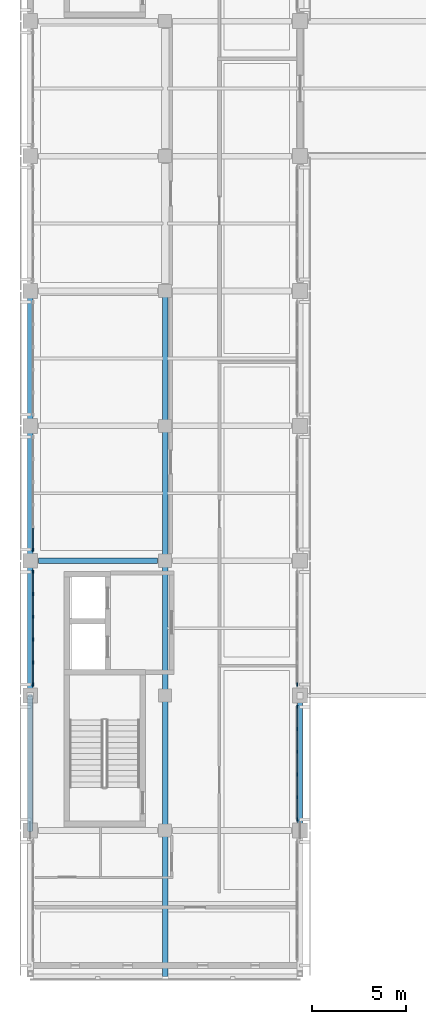
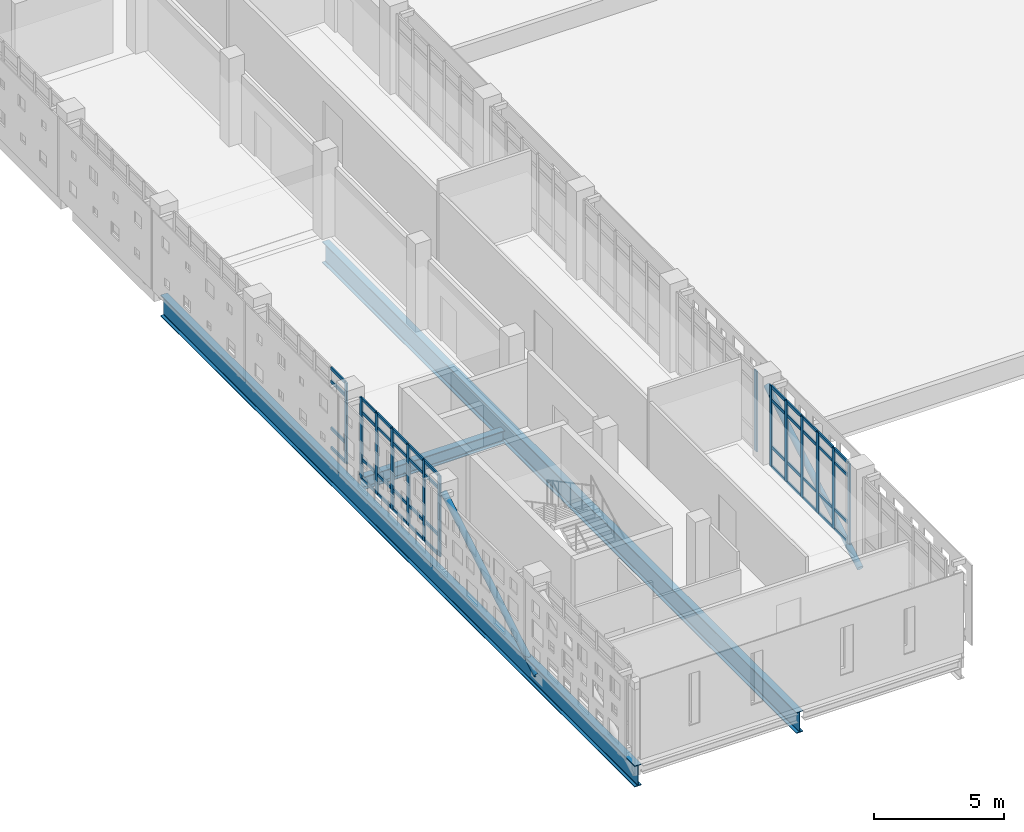
# One storey, part 3 of 51: 60 members, 3 beams, 4 elements without a shape of their own.
"""IFC4 building model written with IfcOpenShell, lengths in metres."""

from ifc_helpers import new_model, si_unit, direction, frame, origin, origin_2d, place, context, subcontext, project, spatial, rectangle, hollow_circle, i_section, extrude, material, layer, layer_set, material_profile, profile_set, type_object, element, aggregate, save


model = new_model("IFC4")

# Units and contexts
model_context = context("Model", 3, precision=1e-05, world=origin(), true_north=direction((0.0, 1.0)))
body_context = subcontext(model_context, "Body", "Model", "MODEL_VIEW")
ifc_project = project(units=[si_unit("LENGTHUNIT", "METRE"), si_unit("AREAUNIT", "SQUARE_METRE"), si_unit("VOLUMEUNIT", "CUBIC_METRE"), si_unit("PLANEANGLEUNIT", "RADIAN"), si_unit("MASSUNIT", "GRAM", prefix="KILO")], contexts=[model_context])

# Site, building, storey
site_placement = place(None, origin())
site = spatial("IfcSite", under=ifc_project, at=site_placement, CompositionType="ELEMENT")
building_placement = place(site_placement, origin())
building = spatial("IfcBuilding", under=site, at=building_placement, Name="Valkovuoma Quantum and Materials Research Institute", CompositionType="ELEMENT")
storey_placement = place(building_placement, frame((0.0, 0.0, 17.280029296875)))
storey = spatial("IfcBuildingStorey", under=building, at=storey_placement, Name="L04", CompositionType="ELEMENT", Elevation=17.280029296875)

# Beams
ifc_material_1 = material(Name="Steel S355J2", Category="steel")
ifc_material_profile_1 = material_profile(ifc_material_1, i_section(OverallWidth=0.300048828125, OverallDepth=1.0, WebThickness=0.01904296875, FlangeThickness=0.035888671875, FilletRadius=0.030029296875, at=origin_2d()), Name="Steel S355J2")
ifc_profile_set_1 = profile_set([ifc_material_profile_1], Name="Steel S355J2")
beam_type_1 = type_object("IfcBeamType", Name="Beam-B-HEB1000", PredefinedType="BEAM", material=ifc_profile_set_1)
for number, where, z_axis, x_axis, name in (
    (1, (0.0, 21.0, -0.85009765625), (0.0, 1.0, 0.0), (-1.0, 0.0, 0.0), "L04 cantilever girder X0"),
    (2, (7.199951171875, 21.0, -0.85009765625), (0.0, 1.0, 0.0), (-1.0, 0.0, 0.0), "L04 cantilever girder X1"),
):
    element("IfcBeam", number, at=place(storey_placement, frame(where, z_axis=z_axis, x_axis=x_axis)), inside=storey, type_object=beam_type_1, Name=name, PredefinedType="BEAM", context=body_context, shape_type="SweptSolid", body=[
        extrude(i_section(OverallWidth=0.300048828125, OverallDepth=1.0, WebThickness=0.01904296875, FlangeThickness=0.035888671875, FilletRadius=0.030029296875, at=origin_2d()), origin(), (0.0, 0.0, 1.0), 36.60009765625),
    ])
ifc_material_2 = material(Name="Steel S355J2", Category="steel")
ifc_material_profile_2 = material_profile(ifc_material_2, i_section(OverallWidth=0.300048828125, OverallDepth=0.60009765625, WebThickness=0.015380859375, FlangeThickness=0.030029296875, FilletRadius=0.027099609375, at=origin_2d()), Name="Steel S355J2")
ifc_profile_set_2 = profile_set([ifc_material_profile_2], Name="Steel S355J2")
beam_type_2 = type_object("IfcBeamType", Name="Beam-B-HEB600", PredefinedType="BEAM", material=ifc_profile_set_2)
beam_placement = place(storey_placement, frame((0.449951171875, 43.199951171875, -0.650146484375), z_axis=(1.0, 0.0, 0.0), x_axis=(0.0, 1.0, 0.0)))
element("IfcBeam", 3, at=beam_placement, inside=storey, type_object=beam_type_2, Name="L04 beam X-1821", PredefinedType="BEAM", context=body_context, shape_type="SweptSolid", body=[
    extrude(i_section(OverallWidth=0.300048828125, OverallDepth=0.60009765625, WebThickness=0.015380859375, FlangeThickness=0.030029296875, FilletRadius=0.027099609375, at=origin_2d()), origin(), (0.0, 0.0, 1.0), 6.35009765625),
])

# Curtain wall, members
ifc_material_3 = material(Name="Thermally broken aluminium and triple low-E glazing", Category="aluminium")
ifc_layer = layer(ifc_material_3, 0.219970703125)
ifc_layer_set = layer_set([ifc_layer], Name="Thermally broken aluminium and triple low-E glazing")
curtain_wall_type = type_object("IfcCurtainWallType", Name="CW-CW-01", PredefinedType="NOTDEFINED", material=ifc_layer_set)
curtain_wall_1_placement = place(storey_placement, origin())
curtain_wall_1 = element("IfcCurtainWall", 4, at=curtain_wall_1_placement, inside=storey, type_object=curtain_wall_type, Name="L04 curtain wall 040", PredefinedType="NOTDEFINED")
ifc_material_4 = material(Name="Anodised aluminium 6060-T66", Category="aluminium")
ifc_material_profile_3 = material_profile(ifc_material_4, rectangle(XDim=0.06494140625, YDim=0.179931640625, at=origin_2d()), Name="Anodised aluminium 6060-T66")
ifc_profile_set_3 = profile_set([ifc_material_profile_3], Name="Anodised aluminium 6060-T66")
member_type_1 = type_object("IfcMemberType", Name="CWMull-CWM-01", PredefinedType="MULLION", material=ifc_profile_set_3)
member_1_placement = place(storey_placement, frame((14.25, 29.3896484375, 0.0), z_axis=(0.0, 0.0, 1.0), x_axis=(-1.0, 0.0, 0.0)))
member_1 = element("IfcMember", 5, at=member_1_placement, type_object=member_type_1, Name="CW-01 mullion 1", PredefinedType="MULLION", context=body_context, shape_type="SweptSolid", body=[
    extrude(rectangle(XDim=0.06494140625, YDim=0.179931640625, at=origin_2d()), origin(), (0.0, 0.0, 1.0), 3.81005859375),
])
member_2_placement = place(storey_placement, frame((14.25, 30.57421875, 0.0), z_axis=(0.0, 0.0, 1.0), x_axis=(-1.0, 0.0, 0.0)))
member_2 = element("IfcMember", 6, at=member_2_placement, type_object=member_type_1, Name="CW-01 mullion 2", PredefinedType="MULLION", context=body_context, shape_type="SweptSolid", body=[
    extrude(rectangle(XDim=0.06494140625, YDim=0.179931640625, at=origin_2d()), origin(), (0.0, 0.0, 1.0), 3.81005859375),
])
member_3_placement = place(storey_placement, frame((14.25, 31.79150390625, 0.0), z_axis=(0.0, 0.0, 1.0), x_axis=(-1.0, 0.0, 0.0)))
member_3 = element("IfcMember", 7, at=member_3_placement, type_object=member_type_1, Name="CW-01 mullion 3", PredefinedType="MULLION", context=body_context, shape_type="SweptSolid", body=[
    extrude(rectangle(XDim=0.06494140625, YDim=0.179931640625, at=origin_2d()), origin(), (0.0, 0.0, 1.0), 3.81005859375),
])
member_4_placement = place(storey_placement, frame((14.25, 33.008544921875, 0.0), z_axis=(0.0, 0.0, 1.0), x_axis=(-1.0, 0.0, 0.0)))
member_4 = element("IfcMember", 8, at=member_4_placement, type_object=member_type_1, Name="CW-01 mullion 4", PredefinedType="MULLION", context=body_context, shape_type="SweptSolid", body=[
    extrude(rectangle(XDim=0.06494140625, YDim=0.179931640625, at=origin_2d()), origin(), (0.0, 0.0, 1.0), 3.81005859375),
])
member_5_placement = place(storey_placement, frame((14.25, 34.225830078125, 0.0), z_axis=(0.0, 0.0, 1.0), x_axis=(-1.0, 0.0, 0.0)))
member_5 = element("IfcMember", 9, at=member_5_placement, type_object=member_type_1, Name="CW-01 mullion 5", PredefinedType="MULLION", context=body_context, shape_type="SweptSolid", body=[
    extrude(rectangle(XDim=0.06494140625, YDim=0.179931640625, at=origin_2d()), origin(), (0.0, 0.0, 1.0), 3.81005859375),
])
member_6_placement = place(storey_placement, frame((14.25, 35.410400390625, 0.0), z_axis=(0.0, 0.0, 1.0), x_axis=(-1.0, 0.0, 0.0)))
member_6 = element("IfcMember", 10, at=member_6_placement, type_object=member_type_1, Name="CW-01 mullion 6", PredefinedType="MULLION", context=body_context, shape_type="SweptSolid", body=[
    extrude(rectangle(XDim=0.06494140625, YDim=0.179931640625, at=origin_2d()), origin(), (0.0, 0.0, 1.0), 3.81005859375),
])

curtain_wall_2_placement = place(storey_placement, origin())
curtain_wall_2 = element("IfcCurtainWall", 11, at=curtain_wall_2_placement, inside=storey, type_object=curtain_wall_type, Name="L04 curtain wall 041", PredefinedType="NOTDEFINED")
member_7_placement = place(storey_placement, frame((0.14990234375, 36.589599609375, 0.0), z_axis=(0.0, 0.0, 1.0), x_axis=(-1.0, 0.0, 0.0)))
member_7 = element("IfcMember", 12, at=member_7_placement, type_object=member_type_1, Name="CW-01 mullion 1", PredefinedType="MULLION", context=body_context, shape_type="SweptSolid", body=[
    extrude(rectangle(XDim=0.06494140625, YDim=0.179931640625, at=origin_2d()), origin(), (0.0, 0.0, 1.0), 3.81005859375),
])
member_8_placement = place(storey_placement, frame((0.14990234375, 37.774169921875, 0.0), z_axis=(0.0, 0.0, 1.0), x_axis=(-1.0, 0.0, 0.0)))
member_8 = element("IfcMember", 13, at=member_8_placement, type_object=member_type_1, Name="CW-01 mullion 2", PredefinedType="MULLION", context=body_context, shape_type="SweptSolid", body=[
    extrude(rectangle(XDim=0.06494140625, YDim=0.179931640625, at=origin_2d()), origin(), (0.0, 0.0, 1.0), 3.81005859375),
])
member_9_placement = place(storey_placement, frame((0.14990234375, 38.991455078125, 0.0), z_axis=(0.0, 0.0, 1.0), x_axis=(-1.0, 0.0, 0.0)))
member_9 = element("IfcMember", 14, at=member_9_placement, type_object=member_type_1, Name="CW-01 mullion 3", PredefinedType="MULLION", context=body_context, shape_type="SweptSolid", body=[
    extrude(rectangle(XDim=0.06494140625, YDim=0.179931640625, at=origin_2d()), origin(), (0.0, 0.0, 1.0), 3.81005859375),
])
member_10_placement = place(storey_placement, frame((0.14990234375, 40.20849609375, 0.0), z_axis=(0.0, 0.0, 1.0), x_axis=(-1.0, 0.0, 0.0)))
member_10 = element("IfcMember", 15, at=member_10_placement, type_object=member_type_1, Name="CW-01 mullion 4", PredefinedType="MULLION", context=body_context, shape_type="SweptSolid", body=[
    extrude(rectangle(XDim=0.06494140625, YDim=0.179931640625, at=origin_2d()), origin(), (0.0, 0.0, 1.0), 3.81005859375),
])
member_11_placement = place(storey_placement, frame((0.14990234375, 41.42578125, 0.0), z_axis=(0.0, 0.0, 1.0), x_axis=(-1.0, 0.0, 0.0)))
member_11 = element("IfcMember", 16, at=member_11_placement, type_object=member_type_1, Name="CW-01 mullion 5", PredefinedType="MULLION", context=body_context, shape_type="SweptSolid", body=[
    extrude(rectangle(XDim=0.06494140625, YDim=0.179931640625, at=origin_2d()), origin(), (0.0, 0.0, 1.0), 3.81005859375),
])
member_12_placement = place(storey_placement, frame((0.14990234375, 42.6103515625, 0.0), z_axis=(0.0, 0.0, 1.0), x_axis=(-1.0, 0.0, 0.0)))
member_12 = element("IfcMember", 17, at=member_12_placement, type_object=member_type_1, Name="CW-01 mullion 6", PredefinedType="MULLION", context=body_context, shape_type="SweptSolid", body=[
    extrude(rectangle(XDim=0.06494140625, YDim=0.179931640625, at=origin_2d()), origin(), (0.0, 0.0, 1.0), 3.81005859375),
])

# Curtain wall, member
curtain_wall_3_placement = place(storey_placement, origin())
curtain_wall_3 = element("IfcCurtainWall", 18, at=curtain_wall_3_placement, inside=storey, type_object=curtain_wall_type, Name="L04 curtain wall 042", PredefinedType="NOTDEFINED")
member_13_placement = place(storey_placement, frame((14.25, 36.589599609375, 0.0), z_axis=(0.0, 0.0, 1.0), x_axis=(-1.0, 0.0, 0.0)))
member_13 = element("IfcMember", 19, at=member_13_placement, type_object=member_type_1, Name="CW-01 mullion 1", PredefinedType="MULLION", context=body_context, shape_type="SweptSolid", body=[
    extrude(rectangle(XDim=0.06494140625, YDim=0.179931640625, at=origin_2d()), origin(), (0.0, 0.0, 1.0), 3.81005859375),
])
aggregate(curtain_wall_3, [member_13])

curtain_wall_4_placement = place(storey_placement, origin())
curtain_wall_4 = element("IfcCurtainWall", 20, at=curtain_wall_4_placement, inside=storey, type_object=curtain_wall_type, Name="L04 curtain wall 043", PredefinedType="NOTDEFINED")
member_14_placement = place(storey_placement, frame((0.14990234375, 43.78955078125, 0.0), z_axis=(0.0, 0.0, 1.0), x_axis=(-1.0, 0.0, 0.0)))
member_14 = element("IfcMember", 21, at=member_14_placement, type_object=member_type_1, Name="CW-01 mullion 1", PredefinedType="MULLION", context=body_context, shape_type="SweptSolid", body=[
    extrude(rectangle(XDim=0.06494140625, YDim=0.179931640625, at=origin_2d()), origin(), (0.0, 0.0, 1.0), 3.81005859375),
])

# Member
ifc_material_5 = material(Name="Anodised aluminium 6060-T66", Category="aluminium")
ifc_material_profile_4 = material_profile(ifc_material_5, rectangle(XDim=0.06494140625, YDim=0.139892578125, at=origin_2d()), Name="Anodised aluminium 6060-T66")
ifc_profile_set_4 = profile_set([ifc_material_profile_4], Name="Anodised aluminium 6060-T66")
member_type_2 = type_object("IfcMemberType", Name="CWTran-CWT-01", PredefinedType="USERDEFINED", material=ifc_profile_set_4)
member_15_placement = place(storey_placement, frame((14.25, 29.422119140625, 0.032470703125), z_axis=(0.0, 1.0, 0.0), x_axis=(-1.0, 0.0, 0.0)))
member_15 = element("IfcMember", 22, at=member_15_placement, type_object=member_type_2, Name="CW-01 transom 1.1", ObjectType="TRANSOM", PredefinedType="USERDEFINED", context=body_context, shape_type="SweptSolid", body=[
    extrude(rectangle(XDim=0.06494140625, YDim=0.139892578125, at=origin_2d()), origin(), (0.0, 0.0, 1.0), 1.11962890625),
])

member_16_placement = place(storey_placement, frame((14.25, 29.422119140625, 0.949951171875), z_axis=(0.0, 1.0, 0.0), x_axis=(-1.0, 0.0, 0.0)))
member_16 = element("IfcMember", 23, at=member_16_placement, type_object=member_type_2, Name="CW-01 transom 1.2", ObjectType="TRANSOM", PredefinedType="USERDEFINED", context=body_context, shape_type="SweptSolid", body=[
    extrude(rectangle(XDim=0.06494140625, YDim=0.139892578125, at=origin_2d()), origin(), (0.0, 0.0, 1.0), 1.11962890625),
])

member_17_placement = place(storey_placement, frame((14.25, 29.422119140625, 3.159912109375), z_axis=(0.0, 1.0, 0.0), x_axis=(-1.0, 0.0, 0.0)))
member_17 = element("IfcMember", 24, at=member_17_placement, type_object=member_type_2, Name="CW-01 transom 1.3", ObjectType="TRANSOM", PredefinedType="USERDEFINED", context=body_context, shape_type="SweptSolid", body=[
    extrude(rectangle(XDim=0.06494140625, YDim=0.139892578125, at=origin_2d()), origin(), (0.0, 0.0, 1.0), 1.11962890625),
])

member_18_placement = place(storey_placement, frame((14.25, 29.422119140625, 3.777587890625), z_axis=(0.0, 1.0, 0.0), x_axis=(-1.0, 0.0, 0.0)))
member_18 = element("IfcMember", 25, at=member_18_placement, type_object=member_type_2, Name="CW-01 transom 1.4", ObjectType="TRANSOM", PredefinedType="USERDEFINED", context=body_context, shape_type="SweptSolid", body=[
    extrude(rectangle(XDim=0.06494140625, YDim=0.139892578125, at=origin_2d()), origin(), (0.0, 0.0, 1.0), 1.11962890625),
])

member_19_placement = place(storey_placement, frame((14.25, 30.606689453125, 0.032470703125), z_axis=(0.0, 1.0, 0.0), x_axis=(-1.0, 0.0, 0.0)))
member_19 = element("IfcMember", 26, at=member_19_placement, type_object=member_type_2, Name="CW-01 transom 2.1", ObjectType="TRANSOM", PredefinedType="USERDEFINED", context=body_context, shape_type="SweptSolid", body=[
    extrude(rectangle(XDim=0.06494140625, YDim=0.139892578125, at=origin_2d()), origin(), (0.0, 0.0, 1.0), 1.15234375),
])

member_20_placement = place(storey_placement, frame((14.25, 30.606689453125, 0.949951171875), z_axis=(0.0, 1.0, 0.0), x_axis=(-1.0, 0.0, 0.0)))
member_20 = element("IfcMember", 27, at=member_20_placement, type_object=member_type_2, Name="CW-01 transom 2.2", ObjectType="TRANSOM", PredefinedType="USERDEFINED", context=body_context, shape_type="SweptSolid", body=[
    extrude(rectangle(XDim=0.06494140625, YDim=0.139892578125, at=origin_2d()), origin(), (0.0, 0.0, 1.0), 1.15234375),
])

member_21_placement = place(storey_placement, frame((14.25, 30.606689453125, 3.159912109375), z_axis=(0.0, 1.0, 0.0), x_axis=(-1.0, 0.0, 0.0)))
member_21 = element("IfcMember", 28, at=member_21_placement, type_object=member_type_2, Name="CW-01 transom 2.3", ObjectType="TRANSOM", PredefinedType="USERDEFINED", context=body_context, shape_type="SweptSolid", body=[
    extrude(rectangle(XDim=0.06494140625, YDim=0.139892578125, at=origin_2d()), origin(), (0.0, 0.0, 1.0), 1.15234375),
])

member_22_placement = place(storey_placement, frame((14.25, 30.606689453125, 3.777587890625), z_axis=(0.0, 1.0, 0.0), x_axis=(-1.0, 0.0, 0.0)))
member_22 = element("IfcMember", 29, at=member_22_placement, type_object=member_type_2, Name="CW-01 transom 2.4", ObjectType="TRANSOM", PredefinedType="USERDEFINED", context=body_context, shape_type="SweptSolid", body=[
    extrude(rectangle(XDim=0.06494140625, YDim=0.139892578125, at=origin_2d()), origin(), (0.0, 0.0, 1.0), 1.15234375),
])

member_23_placement = place(storey_placement, frame((14.25, 31.823974609375, 0.032470703125), z_axis=(0.0, 1.0, 0.0), x_axis=(-1.0, 0.0, 0.0)))
member_23 = element("IfcMember", 30, at=member_23_placement, type_object=member_type_2, Name="CW-01 transom 3.1", ObjectType="TRANSOM", PredefinedType="USERDEFINED", context=body_context, shape_type="SweptSolid", body=[
    extrude(rectangle(XDim=0.06494140625, YDim=0.139892578125, at=origin_2d()), origin(), (0.0, 0.0, 1.0), 1.152099609375),
])

member_24_placement = place(storey_placement, frame((14.25, 31.823974609375, 0.949951171875), z_axis=(0.0, 1.0, 0.0), x_axis=(-1.0, 0.0, 0.0)))
member_24 = element("IfcMember", 31, at=member_24_placement, type_object=member_type_2, Name="CW-01 transom 3.2", ObjectType="TRANSOM", PredefinedType="USERDEFINED", context=body_context, shape_type="SweptSolid", body=[
    extrude(rectangle(XDim=0.06494140625, YDim=0.139892578125, at=origin_2d()), origin(), (0.0, 0.0, 1.0), 1.152099609375),
])

member_25_placement = place(storey_placement, frame((14.25, 31.823974609375, 3.159912109375), z_axis=(0.0, 1.0, 0.0), x_axis=(-1.0, 0.0, 0.0)))
member_25 = element("IfcMember", 32, at=member_25_placement, type_object=member_type_2, Name="CW-01 transom 3.3", ObjectType="TRANSOM", PredefinedType="USERDEFINED", context=body_context, shape_type="SweptSolid", body=[
    extrude(rectangle(XDim=0.06494140625, YDim=0.139892578125, at=origin_2d()), origin(), (0.0, 0.0, 1.0), 1.152099609375),
])

member_26_placement = place(storey_placement, frame((14.25, 31.823974609375, 3.777587890625), z_axis=(0.0, 1.0, 0.0), x_axis=(-1.0, 0.0, 0.0)))
member_26 = element("IfcMember", 33, at=member_26_placement, type_object=member_type_2, Name="CW-01 transom 3.4", ObjectType="TRANSOM", PredefinedType="USERDEFINED", context=body_context, shape_type="SweptSolid", body=[
    extrude(rectangle(XDim=0.06494140625, YDim=0.139892578125, at=origin_2d()), origin(), (0.0, 0.0, 1.0), 1.152099609375),
])

member_27_placement = place(storey_placement, frame((14.25, 33.041015625, 0.032470703125), z_axis=(0.0, 1.0, 0.0), x_axis=(-1.0, 0.0, 0.0)))
member_27 = element("IfcMember", 34, at=member_27_placement, type_object=member_type_2, Name="CW-01 transom 4.1", ObjectType="TRANSOM", PredefinedType="USERDEFINED", context=body_context, shape_type="SweptSolid", body=[
    extrude(rectangle(XDim=0.06494140625, YDim=0.139892578125, at=origin_2d()), origin(), (0.0, 0.0, 1.0), 1.15234375),
])

member_28_placement = place(storey_placement, frame((14.25, 33.041015625, 0.949951171875), z_axis=(0.0, 1.0, 0.0), x_axis=(-1.0, 0.0, 0.0)))
member_28 = element("IfcMember", 35, at=member_28_placement, type_object=member_type_2, Name="CW-01 transom 4.2", ObjectType="TRANSOM", PredefinedType="USERDEFINED", context=body_context, shape_type="SweptSolid", body=[
    extrude(rectangle(XDim=0.06494140625, YDim=0.139892578125, at=origin_2d()), origin(), (0.0, 0.0, 1.0), 1.15234375),
])

member_29_placement = place(storey_placement, frame((14.25, 33.041015625, 3.159912109375), z_axis=(0.0, 1.0, 0.0), x_axis=(-1.0, 0.0, 0.0)))
member_29 = element("IfcMember", 36, at=member_29_placement, type_object=member_type_2, Name="CW-01 transom 4.3", ObjectType="TRANSOM", PredefinedType="USERDEFINED", context=body_context, shape_type="SweptSolid", body=[
    extrude(rectangle(XDim=0.06494140625, YDim=0.139892578125, at=origin_2d()), origin(), (0.0, 0.0, 1.0), 1.15234375),
])

member_30_placement = place(storey_placement, frame((14.25, 33.041015625, 3.777587890625), z_axis=(0.0, 1.0, 0.0), x_axis=(-1.0, 0.0, 0.0)))
member_30 = element("IfcMember", 37, at=member_30_placement, type_object=member_type_2, Name="CW-01 transom 4.4", ObjectType="TRANSOM", PredefinedType="USERDEFINED", context=body_context, shape_type="SweptSolid", body=[
    extrude(rectangle(XDim=0.06494140625, YDim=0.139892578125, at=origin_2d()), origin(), (0.0, 0.0, 1.0), 1.15234375),
])

member_31_placement = place(storey_placement, frame((14.25, 34.25830078125, 0.032470703125), z_axis=(0.0, 1.0, 0.0), x_axis=(-1.0, 0.0, 0.0)))
member_31 = element("IfcMember", 38, at=member_31_placement, type_object=member_type_2, Name="CW-01 transom 5.1", ObjectType="TRANSOM", PredefinedType="USERDEFINED", context=body_context, shape_type="SweptSolid", body=[
    extrude(rectangle(XDim=0.06494140625, YDim=0.139892578125, at=origin_2d()), origin(), (0.0, 0.0, 1.0), 1.11962890625),
])

member_32_placement = place(storey_placement, frame((14.25, 34.25830078125, 0.949951171875), z_axis=(0.0, 1.0, 0.0), x_axis=(-1.0, 0.0, 0.0)))
member_32 = element("IfcMember", 39, at=member_32_placement, type_object=member_type_2, Name="CW-01 transom 5.2", ObjectType="TRANSOM", PredefinedType="USERDEFINED", context=body_context, shape_type="SweptSolid", body=[
    extrude(rectangle(XDim=0.06494140625, YDim=0.139892578125, at=origin_2d()), origin(), (0.0, 0.0, 1.0), 1.11962890625),
])

member_33_placement = place(storey_placement, frame((14.25, 34.25830078125, 3.159912109375), z_axis=(0.0, 1.0, 0.0), x_axis=(-1.0, 0.0, 0.0)))
member_33 = element("IfcMember", 40, at=member_33_placement, type_object=member_type_2, Name="CW-01 transom 5.3", ObjectType="TRANSOM", PredefinedType="USERDEFINED", context=body_context, shape_type="SweptSolid", body=[
    extrude(rectangle(XDim=0.06494140625, YDim=0.139892578125, at=origin_2d()), origin(), (0.0, 0.0, 1.0), 1.11962890625),
])

member_34_placement = place(storey_placement, frame((14.25, 34.25830078125, 3.777587890625), z_axis=(0.0, 1.0, 0.0), x_axis=(-1.0, 0.0, 0.0)))
member_34 = element("IfcMember", 41, at=member_34_placement, type_object=member_type_2, Name="CW-01 transom 5.4", ObjectType="TRANSOM", PredefinedType="USERDEFINED", context=body_context, shape_type="SweptSolid", body=[
    extrude(rectangle(XDim=0.06494140625, YDim=0.139892578125, at=origin_2d()), origin(), (0.0, 0.0, 1.0), 1.11962890625),
])

aggregate(curtain_wall_1, [member_1, member_2, member_3, member_4, member_5, member_6, member_15, member_16, member_17, member_18, member_19, member_20, member_21, member_22, member_23, member_24, member_25, member_26, member_27, member_28, member_29, member_30, member_31, member_32, member_33, member_34])

member_35_placement = place(storey_placement, frame((0.14990234375, 36.6220703125, 0.032470703125), z_axis=(0.0, 1.0, 0.0), x_axis=(-1.0, 0.0, 0.0)))
member_35 = element("IfcMember", 42, at=member_35_placement, type_object=member_type_2, Name="CW-01 transom 1.1", ObjectType="TRANSOM", PredefinedType="USERDEFINED", context=body_context, shape_type="SweptSolid", body=[
    extrude(rectangle(XDim=0.06494140625, YDim=0.139892578125, at=origin_2d()), origin(), (0.0, 0.0, 1.0), 1.11962890625),
])

member_36_placement = place(storey_placement, frame((0.14990234375, 36.6220703125, 0.949951171875), z_axis=(0.0, 1.0, 0.0), x_axis=(-1.0, 0.0, 0.0)))
member_36 = element("IfcMember", 43, at=member_36_placement, type_object=member_type_2, Name="CW-01 transom 1.2", ObjectType="TRANSOM", PredefinedType="USERDEFINED", context=body_context, shape_type="SweptSolid", body=[
    extrude(rectangle(XDim=0.06494140625, YDim=0.139892578125, at=origin_2d()), origin(), (0.0, 0.0, 1.0), 1.11962890625),
])

member_37_placement = place(storey_placement, frame((0.14990234375, 36.6220703125, 3.159912109375), z_axis=(0.0, 1.0, 0.0), x_axis=(-1.0, 0.0, 0.0)))
member_37 = element("IfcMember", 44, at=member_37_placement, type_object=member_type_2, Name="CW-01 transom 1.3", ObjectType="TRANSOM", PredefinedType="USERDEFINED", context=body_context, shape_type="SweptSolid", body=[
    extrude(rectangle(XDim=0.06494140625, YDim=0.139892578125, at=origin_2d()), origin(), (0.0, 0.0, 1.0), 1.11962890625),
])

member_38_placement = place(storey_placement, frame((0.14990234375, 36.6220703125, 3.777587890625), z_axis=(0.0, 1.0, 0.0), x_axis=(-1.0, 0.0, 0.0)))
member_38 = element("IfcMember", 45, at=member_38_placement, type_object=member_type_2, Name="CW-01 transom 1.4", ObjectType="TRANSOM", PredefinedType="USERDEFINED", context=body_context, shape_type="SweptSolid", body=[
    extrude(rectangle(XDim=0.06494140625, YDim=0.139892578125, at=origin_2d()), origin(), (0.0, 0.0, 1.0), 1.11962890625),
])

member_39_placement = place(storey_placement, frame((0.14990234375, 37.806640625, 0.032470703125), z_axis=(0.0, 1.0, 0.0), x_axis=(-1.0, 0.0, 0.0)))
member_39 = element("IfcMember", 46, at=member_39_placement, type_object=member_type_2, Name="CW-01 transom 2.1", ObjectType="TRANSOM", PredefinedType="USERDEFINED", context=body_context, shape_type="SweptSolid", body=[
    extrude(rectangle(XDim=0.06494140625, YDim=0.139892578125, at=origin_2d()), origin(), (0.0, 0.0, 1.0), 1.15234375),
])

member_40_placement = place(storey_placement, frame((0.14990234375, 37.806640625, 0.949951171875), z_axis=(0.0, 1.0, 0.0), x_axis=(-1.0, 0.0, 0.0)))
member_40 = element("IfcMember", 47, at=member_40_placement, type_object=member_type_2, Name="CW-01 transom 2.2", ObjectType="TRANSOM", PredefinedType="USERDEFINED", context=body_context, shape_type="SweptSolid", body=[
    extrude(rectangle(XDim=0.06494140625, YDim=0.139892578125, at=origin_2d()), origin(), (0.0, 0.0, 1.0), 1.15234375),
])

member_41_placement = place(storey_placement, frame((0.14990234375, 37.806640625, 3.159912109375), z_axis=(0.0, 1.0, 0.0), x_axis=(-1.0, 0.0, 0.0)))
member_41 = element("IfcMember", 48, at=member_41_placement, type_object=member_type_2, Name="CW-01 transom 2.3", ObjectType="TRANSOM", PredefinedType="USERDEFINED", context=body_context, shape_type="SweptSolid", body=[
    extrude(rectangle(XDim=0.06494140625, YDim=0.139892578125, at=origin_2d()), origin(), (0.0, 0.0, 1.0), 1.15234375),
])

member_42_placement = place(storey_placement, frame((0.14990234375, 37.806640625, 3.777587890625), z_axis=(0.0, 1.0, 0.0), x_axis=(-1.0, 0.0, 0.0)))
member_42 = element("IfcMember", 49, at=member_42_placement, type_object=member_type_2, Name="CW-01 transom 2.4", ObjectType="TRANSOM", PredefinedType="USERDEFINED", context=body_context, shape_type="SweptSolid", body=[
    extrude(rectangle(XDim=0.06494140625, YDim=0.139892578125, at=origin_2d()), origin(), (0.0, 0.0, 1.0), 1.15234375),
])

member_43_placement = place(storey_placement, frame((0.14990234375, 39.02392578125, 0.032470703125), z_axis=(0.0, 1.0, 0.0), x_axis=(-1.0, 0.0, 0.0)))
member_43 = element("IfcMember", 50, at=member_43_placement, type_object=member_type_2, Name="CW-01 transom 3.1", ObjectType="TRANSOM", PredefinedType="USERDEFINED", context=body_context, shape_type="SweptSolid", body=[
    extrude(rectangle(XDim=0.06494140625, YDim=0.139892578125, at=origin_2d()), origin(), (0.0, 0.0, 1.0), 1.152099609375),
])

member_44_placement = place(storey_placement, frame((0.14990234375, 39.02392578125, 0.949951171875), z_axis=(0.0, 1.0, 0.0), x_axis=(-1.0, 0.0, 0.0)))
member_44 = element("IfcMember", 51, at=member_44_placement, type_object=member_type_2, Name="CW-01 transom 3.2", ObjectType="TRANSOM", PredefinedType="USERDEFINED", context=body_context, shape_type="SweptSolid", body=[
    extrude(rectangle(XDim=0.06494140625, YDim=0.139892578125, at=origin_2d()), origin(), (0.0, 0.0, 1.0), 1.152099609375),
])

member_45_placement = place(storey_placement, frame((0.14990234375, 39.02392578125, 3.159912109375), z_axis=(0.0, 1.0, 0.0), x_axis=(-1.0, 0.0, 0.0)))
member_45 = element("IfcMember", 52, at=member_45_placement, type_object=member_type_2, Name="CW-01 transom 3.3", ObjectType="TRANSOM", PredefinedType="USERDEFINED", context=body_context, shape_type="SweptSolid", body=[
    extrude(rectangle(XDim=0.06494140625, YDim=0.139892578125, at=origin_2d()), origin(), (0.0, 0.0, 1.0), 1.152099609375),
])

member_46_placement = place(storey_placement, frame((0.14990234375, 39.02392578125, 3.777587890625), z_axis=(0.0, 1.0, 0.0), x_axis=(-1.0, 0.0, 0.0)))
member_46 = element("IfcMember", 53, at=member_46_placement, type_object=member_type_2, Name="CW-01 transom 3.4", ObjectType="TRANSOM", PredefinedType="USERDEFINED", context=body_context, shape_type="SweptSolid", body=[
    extrude(rectangle(XDim=0.06494140625, YDim=0.139892578125, at=origin_2d()), origin(), (0.0, 0.0, 1.0), 1.152099609375),
])

member_47_placement = place(storey_placement, frame((0.14990234375, 40.240966796875, 0.032470703125), z_axis=(0.0, 1.0, 0.0), x_axis=(-1.0, 0.0, 0.0)))
member_47 = element("IfcMember", 54, at=member_47_placement, type_object=member_type_2, Name="CW-01 transom 4.1", ObjectType="TRANSOM", PredefinedType="USERDEFINED", context=body_context, shape_type="SweptSolid", body=[
    extrude(rectangle(XDim=0.06494140625, YDim=0.139892578125, at=origin_2d()), origin(), (0.0, 0.0, 1.0), 1.15234375),
])

member_48_placement = place(storey_placement, frame((0.14990234375, 40.240966796875, 0.949951171875), z_axis=(0.0, 1.0, 0.0), x_axis=(-1.0, 0.0, 0.0)))
member_48 = element("IfcMember", 55, at=member_48_placement, type_object=member_type_2, Name="CW-01 transom 4.2", ObjectType="TRANSOM", PredefinedType="USERDEFINED", context=body_context, shape_type="SweptSolid", body=[
    extrude(rectangle(XDim=0.06494140625, YDim=0.139892578125, at=origin_2d()), origin(), (0.0, 0.0, 1.0), 1.15234375),
])

member_49_placement = place(storey_placement, frame((0.14990234375, 40.240966796875, 3.159912109375), z_axis=(0.0, 1.0, 0.0), x_axis=(-1.0, 0.0, 0.0)))
member_49 = element("IfcMember", 56, at=member_49_placement, type_object=member_type_2, Name="CW-01 transom 4.3", ObjectType="TRANSOM", PredefinedType="USERDEFINED", context=body_context, shape_type="SweptSolid", body=[
    extrude(rectangle(XDim=0.06494140625, YDim=0.139892578125, at=origin_2d()), origin(), (0.0, 0.0, 1.0), 1.15234375),
])

member_50_placement = place(storey_placement, frame((0.14990234375, 40.240966796875, 3.777587890625), z_axis=(0.0, 1.0, 0.0), x_axis=(-1.0, 0.0, 0.0)))
member_50 = element("IfcMember", 57, at=member_50_placement, type_object=member_type_2, Name="CW-01 transom 4.4", ObjectType="TRANSOM", PredefinedType="USERDEFINED", context=body_context, shape_type="SweptSolid", body=[
    extrude(rectangle(XDim=0.06494140625, YDim=0.139892578125, at=origin_2d()), origin(), (0.0, 0.0, 1.0), 1.15234375),
])

member_51_placement = place(storey_placement, frame((0.14990234375, 41.458251953125, 0.032470703125), z_axis=(0.0, 1.0, 0.0), x_axis=(-1.0, 0.0, 0.0)))
member_51 = element("IfcMember", 58, at=member_51_placement, type_object=member_type_2, Name="CW-01 transom 5.1", ObjectType="TRANSOM", PredefinedType="USERDEFINED", context=body_context, shape_type="SweptSolid", body=[
    extrude(rectangle(XDim=0.06494140625, YDim=0.139892578125, at=origin_2d()), origin(), (0.0, 0.0, 1.0), 1.11962890625),
])

member_52_placement = place(storey_placement, frame((0.14990234375, 41.458251953125, 0.949951171875), z_axis=(0.0, 1.0, 0.0), x_axis=(-1.0, 0.0, 0.0)))
member_52 = element("IfcMember", 59, at=member_52_placement, type_object=member_type_2, Name="CW-01 transom 5.2", ObjectType="TRANSOM", PredefinedType="USERDEFINED", context=body_context, shape_type="SweptSolid", body=[
    extrude(rectangle(XDim=0.06494140625, YDim=0.139892578125, at=origin_2d()), origin(), (0.0, 0.0, 1.0), 1.11962890625),
])

member_53_placement = place(storey_placement, frame((0.14990234375, 41.458251953125, 3.159912109375), z_axis=(0.0, 1.0, 0.0), x_axis=(-1.0, 0.0, 0.0)))
member_53 = element("IfcMember", 60, at=member_53_placement, type_object=member_type_2, Name="CW-01 transom 5.3", ObjectType="TRANSOM", PredefinedType="USERDEFINED", context=body_context, shape_type="SweptSolid", body=[
    extrude(rectangle(XDim=0.06494140625, YDim=0.139892578125, at=origin_2d()), origin(), (0.0, 0.0, 1.0), 1.11962890625),
])

member_54_placement = place(storey_placement, frame((0.14990234375, 41.458251953125, 3.777587890625), z_axis=(0.0, 1.0, 0.0), x_axis=(-1.0, 0.0, 0.0)))
member_54 = element("IfcMember", 61, at=member_54_placement, type_object=member_type_2, Name="CW-01 transom 5.4", ObjectType="TRANSOM", PredefinedType="USERDEFINED", context=body_context, shape_type="SweptSolid", body=[
    extrude(rectangle(XDim=0.06494140625, YDim=0.139892578125, at=origin_2d()), origin(), (0.0, 0.0, 1.0), 1.11962890625),
])

aggregate(curtain_wall_2, [member_7, member_8, member_9, member_10, member_11, member_12, member_35, member_36, member_37, member_38, member_39, member_40, member_41, member_42, member_43, member_44, member_45, member_46, member_47, member_48, member_49, member_50, member_51, member_52, member_53, member_54])

member_55_placement = place(storey_placement, frame((0.14990234375, 43.822021484375, 0.032470703125), z_axis=(0.0, 1.0, 0.0), x_axis=(-1.0, 0.0, 0.0)))
member_55 = element("IfcMember", 62, at=member_55_placement, type_object=member_type_2, Name="CW-01 transom 1.1", ObjectType="TRANSOM", PredefinedType="USERDEFINED", context=body_context, shape_type="SweptSolid", body=[
    extrude(rectangle(XDim=0.06494140625, YDim=0.139892578125, at=origin_2d()), origin(), (0.0, 0.0, 1.0), 1.11962890625),
])

member_56_placement = place(storey_placement, frame((0.14990234375, 43.822021484375, 0.949951171875), z_axis=(0.0, 1.0, 0.0), x_axis=(-1.0, 0.0, 0.0)))
member_56 = element("IfcMember", 63, at=member_56_placement, type_object=member_type_2, Name="CW-01 transom 1.2", ObjectType="TRANSOM", PredefinedType="USERDEFINED", context=body_context, shape_type="SweptSolid", body=[
    extrude(rectangle(XDim=0.06494140625, YDim=0.139892578125, at=origin_2d()), origin(), (0.0, 0.0, 1.0), 1.11962890625),
])

member_57_placement = place(storey_placement, frame((0.14990234375, 43.822021484375, 3.159912109375), z_axis=(0.0, 1.0, 0.0), x_axis=(-1.0, 0.0, 0.0)))
member_57 = element("IfcMember", 64, at=member_57_placement, type_object=member_type_2, Name="CW-01 transom 1.3", ObjectType="TRANSOM", PredefinedType="USERDEFINED", context=body_context, shape_type="SweptSolid", body=[
    extrude(rectangle(XDim=0.06494140625, YDim=0.139892578125, at=origin_2d()), origin(), (0.0, 0.0, 1.0), 1.11962890625),
])

member_58_placement = place(storey_placement, frame((0.14990234375, 43.822021484375, 3.777587890625), z_axis=(0.0, 1.0, 0.0), x_axis=(-1.0, 0.0, 0.0)))
member_58 = element("IfcMember", 65, at=member_58_placement, type_object=member_type_2, Name="CW-01 transom 1.4", ObjectType="TRANSOM", PredefinedType="USERDEFINED", context=body_context, shape_type="SweptSolid", body=[
    extrude(rectangle(XDim=0.06494140625, YDim=0.139892578125, at=origin_2d()), origin(), (0.0, 0.0, 1.0), 1.11962890625),
])

aggregate(curtain_wall_4, [member_14, member_55, member_56, member_57, member_58])

# Members
ifc_material_6 = material(Name="Steel S355J2H", Category="steel")
ifc_material_profile_5 = material_profile(ifc_material_6, hollow_circle(Radius=0.136474609375, WallThickness=0.012451171875, at=origin_2d()), Name="Steel S355J2H")
ifc_profile_set_5 = profile_set([ifc_material_profile_5], Name="Steel S355J2H")
member_type_3 = type_object("IfcMemberType", Name="Mem-M-BRC273", PredefinedType="BRACE", material=ifc_profile_set_5)
for number, where, z_axis, x_axis, name in (
    (66, (0.0, 28.800048828125, -0.85009765625), (0.0, 0.860638805279, 0.509215913781), (-1.0, 0.0, 0.0), "L04 cantilever back-span brace 0"),
    (67, (14.39990234375, 28.800048828125, -0.85009765625), (0.0, 0.860638805279, 0.509215913781), (-1.0, 0.0, 0.0), "L04 cantilever back-span brace 1"),
):
    element("IfcMember", number, at=place(storey_placement, frame(where, z_axis=z_axis, x_axis=x_axis)), inside=storey, type_object=member_type_3, Name=name, PredefinedType="BRACE", context=body_context, shape_type="SweptSolid", body=[
        extrude(hollow_circle(Radius=0.136474609375, WallThickness=0.012451171875, at=origin_2d()), origin(), (0.0, 0.0, 1.0), 8.36572265625),
    ])

save(model, "model.ifc")
